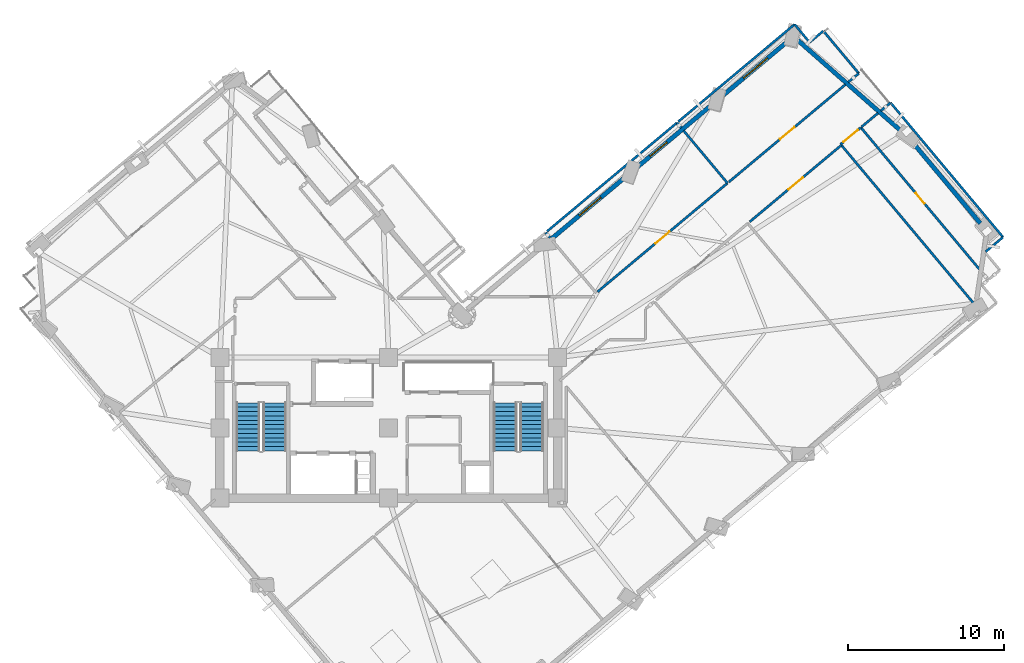
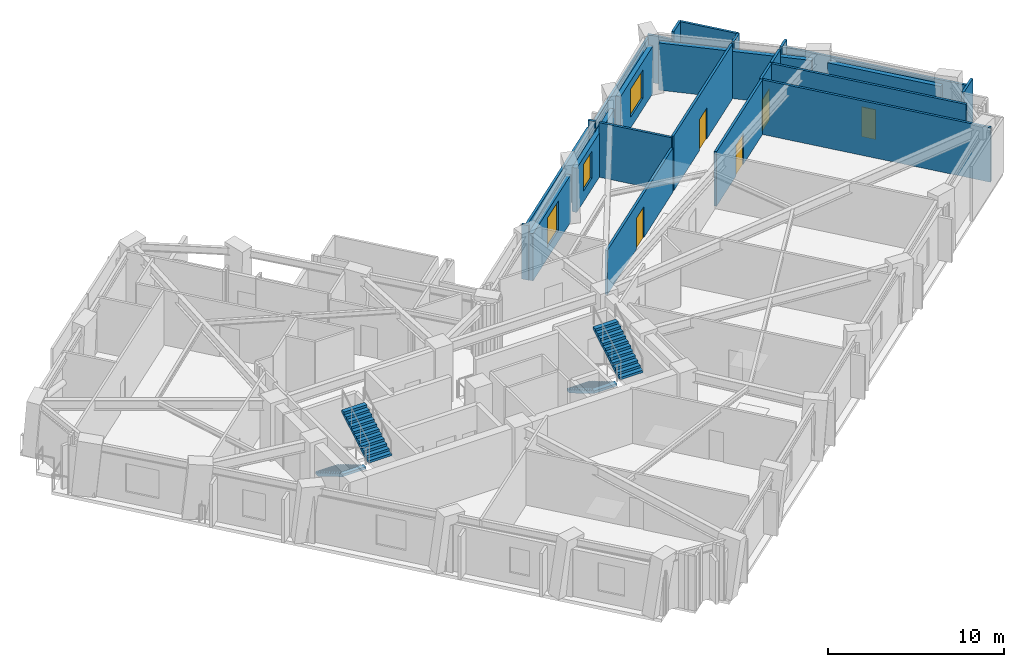
# One storey, part 9 of 14: 24 walls, 5 doors, 4 stair flights, 3 windows, 8 openings, 2 elements without a shape of their own.
"""IFC4 building model written with IfcOpenShell, lengths in metres."""

from ifc_helpers import new_model, si_unit, direction, frame, frame_2d, origin, place, context, subcontext, project, spatial, polyline, rectangle, outline, extrude, material, layer, layer_set, type_object, element, fill, aggregate, save


model = new_model("IFC4")

# Units and contexts
model_context = context("Model", 3, precision=1e-05, world=origin(), true_north=direction((0.0, 1.0)))
body_context = subcontext(model_context, "Body", "Model", "MODEL_VIEW")
ifc_project = project(units=[si_unit("LENGTHUNIT", "METRE"), si_unit("AREAUNIT", "SQUARE_METRE"), si_unit("VOLUMEUNIT", "CUBIC_METRE"), si_unit("PLANEANGLEUNIT", "RADIAN"), si_unit("MASSUNIT", "GRAM", prefix="KILO")], contexts=[model_context])

# Site, building, storey
site_placement = place(None, origin())
site = spatial("IfcSite", under=ifc_project, at=site_placement, CompositionType="ELEMENT")
building_placement = place(site_placement, origin())
building = spatial("IfcBuilding", under=site, at=building_placement, Name="Gaonmaruhae Medical Tower", CompositionType="ELEMENT")
storey_placement = place(building_placement, frame((0.0, 0.0, 193.800048828125)))
storey = spatial("IfcBuildingStorey", under=building, at=storey_placement, Name="L46", CompositionType="ELEMENT", Elevation=193.800048828125)

# Walls
ifc_material_1 = material(Name="Precast concrete C45/55", Category="concrete")
ifc_layer_1 = layer(ifc_material_1, 0.280029296875)
ifc_layer_set_1 = layer_set([ifc_layer_1], Name="Precast concrete C45/55")
wall_type_1 = type_object("IfcWallType", Name="EW-280 Upper Precast Masonry-Frame Facade Wall", PredefinedType="SOLIDWALL", material=ifc_layer_set_1)
wall_1_placement = place(storey_placement, frame((58.25634765625, 30.621826171875, 0.0), z_axis=(0.0, 0.0, 1.0), x_axis=(0.641450946277, -0.767164052547, 0.0)))
element("IfcWall", 1, at=wall_1_placement, inside=storey, type_object=wall_type_1, Name="L46 Precast Masonry-Frame Wall E01-E02", PredefinedType="SOLIDWALL", context=body_context, shape_type="SweptSolid", body=[
    extrude(rectangle(XDim=6.83984375, YDim=0.280029296875, at=frame_2d((3.419921875, 0.0))), origin(), (0.0, 0.0, 1.0), 3.264892578125),
])
wall_2_placement = place(storey_placement, frame((50.93408203125, 37.117919921875, 0.0), z_axis=(0.0, 0.0, 1.0), x_axis=(0.751139162676, -0.660143892114, 0.0)))
element("IfcWall", 2, at=wall_2_placement, inside=storey, type_object=wall_type_1, Name="L46 Precast Masonry-Frame Wall E02-E03", PredefinedType="SOLIDWALL", context=body_context, shape_type="SweptSolid", body=[
    extrude(rectangle(XDim=8.837890625, YDim=0.280029296875, at=frame_2d((4.4189453125, 0.0))), origin(), (0.0, 0.0, 1.0), 3.264892578125),
])

# Wall, opening, window
wall_3_placement = place(storey_placement, frame((46.19677734375, 33.57275390625, 0.0), z_axis=(0.0, 0.0, 1.0), x_axis=(0.767164976139, 0.641449841675, 0.0)))
wall_3 = element("IfcWall", 3, at=wall_3_placement, inside=storey, type_object=wall_type_1, Name="L46 Precast Masonry-Frame Wall E03-EN01", PredefinedType="SOLIDWALL", context=body_context, shape_type="SweptSolid", body=[
    extrude(rectangle(XDim=5.404541015625, YDim=0.280029296875, at=frame_2d((2.7021484375, 0.0))), origin(), (0.0, 0.0, 1.0), 3.264892578125),
])
opening_1_placement = place(wall_3_placement, frame((1.697998046875, 0.0, 0.75)))
opening_1 = element("IfcOpeningElement", 4, at=opening_1_placement, cuts=wall_3, Name="Opening WN-02", PredefinedType="OPENING", context=body_context, shape_type="SweptSolid", body=[
    extrude(rectangle(XDim=2.0, YDim=1.949951171875, at=frame_2d((1.0, 0.97509765625))), frame((0.0, 0.14990234375, 0.0), z_axis=(0.0, -1.0, 0.0), x_axis=(1.0, 0.0, 0.0)), (0.0, 0.0, 1.0), 0.300048828125),
])
ifc_material_2 = material(Name="Anodised aluminium and Low-E double glazing", Category="aluminium")
window_type_1 = type_object("IfcWindowType", Name="WN-02 Double-Bed Ward Punched Window 2000x1950", PartitioningType="SINGLE_PANEL", PredefinedType="WINDOW", material=ifc_material_2)
window_1_placement = place(opening_1_placement, origin())
window_1 = element("IfcWindow", 5, at=window_1_placement, inside=storey, type_object=window_type_1, Name="L46 Modular Facade Window E03", OverallHeight=1.949951171875, OverallWidth=2.0, PartitioningType="SINGLE_PANEL", PredefinedType="WINDOW", context=body_context, shape_type="SweptSolid", body=[
    extrude(rectangle(XDim=2.0, YDim=1.949951171875, at=frame_2d((1.0, 0.97509765625))), frame((0.0, 0.030029296875, 0.0), z_axis=(0.0, -1.0, 0.0), x_axis=(1.0, 0.0, 0.0)), (0.0, 0.0, 1.0), 0.06005859375),
])
fill(opening_1, window_1)

wall_4_placement = place(storey_placement, frame((40.68212890625, 28.9619140625, 0.0), z_axis=(0.0, 0.0, 1.0), x_axis=(0.767178953882, 0.641433124121, 0.0)))
wall_4 = element("IfcWall", 6, at=wall_4_placement, inside=storey, type_object=wall_type_1, Name="L46 Precast Masonry-Frame Wall EN01-EN02", PredefinedType="SOLIDWALL", context=body_context, shape_type="SweptSolid", body=[
    extrude(rectangle(XDim=6.2265625, YDim=0.280029296875, at=frame_2d((3.11328125, 0.0))), origin(), (0.0, 0.0, 1.0), 3.06494140625),
])
opening_2_placement = place(wall_4_placement, frame((1.090576171875, 0.0, 0.75)))
opening_2 = element("IfcOpeningElement", 7, at=opening_2_placement, cuts=wall_4, Name="Opening WN-03", PredefinedType="OPENING", context=body_context, shape_type="SweptSolid", body=[
    extrude(rectangle(XDim=1.39990234375, YDim=1.85009765625, at=frame_2d((0.699951171875, 0.925048828125))), frame((0.0, 0.14990234375, 0.0), z_axis=(0.0, -1.0, 0.0), x_axis=(1.0, 0.0, 0.0)), (0.0, 0.0, 1.0), 0.300048828125),
])
window_type_2 = type_object("IfcWindowType", Name="WN-03 Isolation Ward Punched Window 1400x1850", PartitioningType="SINGLE_PANEL", PredefinedType="WINDOW", material=ifc_material_2)
window_2_placement = place(opening_2_placement, origin())
window_2 = element("IfcWindow", 8, at=window_2_placement, inside=storey, type_object=window_type_2, Name="L46 Modular Facade Window EN01", OverallHeight=1.85009765625, OverallWidth=1.39990234375, PartitioningType="SINGLE_PANEL", PredefinedType="WINDOW", context=body_context, shape_type="SweptSolid", body=[
    extrude(rectangle(XDim=1.39990234375, YDim=1.85009765625, at=frame_2d((0.699951171875, 0.925048828125))), frame((0.0, 0.030029296875, 0.0), z_axis=(0.0, -1.0, 0.0), x_axis=(1.0, 0.0, 0.0)), (0.0, 0.0, 1.0), 0.06005859375),
])
fill(opening_2, window_2)

wall_5_placement = place(storey_placement, frame((35.162109375, 24.346435546875, 0.0), z_axis=(0.0, 0.0, 1.0), x_axis=(0.767160218665, 0.641455531505, 0.0)))
wall_5 = element("IfcWall", 9, at=wall_5_placement, inside=storey, type_object=wall_type_1, Name="L46 Precast Masonry-Frame Wall EN02-EN03", PredefinedType="SOLIDWALL", context=body_context, shape_type="SweptSolid", body=[
    extrude(rectangle(XDim=6.211181640625, YDim=0.280029296875, at=frame_2d((3.10546875, 0.0))), origin(), (0.0, 0.0, 1.0), 3.264892578125),
])
opening_3_placement = place(wall_5_placement, frame((2.3876953125, 0.0, 0.75)))
opening_3 = element("IfcOpeningElement", 10, at=opening_3_placement, cuts=wall_5, Name="Opening WN-04", PredefinedType="OPENING", context=body_context, shape_type="SweptSolid", body=[
    extrude(rectangle(XDim=1.800048828125, YDim=2.050048828125, at=frame_2d((0.89990234375, 1.02490234375))), frame((0.0, 0.14990234375, 0.0), z_axis=(0.0, -1.0, 0.0), x_axis=(1.0, 0.0, 0.0)), (0.0, 0.0, 1.0), 0.300048828125),
])
window_type_3 = type_object("IfcWindowType", Name="WN-04 Clinic & Consult Punched Window 1800x2050", PartitioningType="SINGLE_PANEL", PredefinedType="WINDOW", material=ifc_material_2)
window_3_placement = place(opening_3_placement, origin())
window_3 = element("IfcWindow", 11, at=window_3_placement, inside=storey, type_object=window_type_3, Name="L46 Modular Facade Window EN02", OverallHeight=2.050048828125, OverallWidth=1.800048828125, PartitioningType="SINGLE_PANEL", PredefinedType="WINDOW", context=body_context, shape_type="SweptSolid", body=[
    extrude(rectangle(XDim=1.800048828125, YDim=2.050048828125, at=frame_2d((0.89990234375, 1.02490234375))), frame((0.0, 0.030029296875, 0.0), z_axis=(0.0, -1.0, 0.0), x_axis=(1.0, 0.0, 0.0)), (0.0, 0.0, 1.0), 0.06005859375),
])
fill(opening_3, window_3)

# Wall, opening, door
ifc_material_3 = material(Name="Gypsum board partition", Category="gypsum")
ifc_layer_2 = layer(ifc_material_3, 0.14990234375)
ifc_layer_set_2 = layer_set([ifc_layer_2], Name="Gypsum board partition")
wall_type_2 = type_object("IfcWallType", Name="PW-150 Rated Clinical Corridor Partition", PredefinedType="PARTITIONING", material=ifc_layer_set_2)
wall_6_placement = place(storey_placement, frame((47.89404296875, 25.47705078125, 0.0), z_axis=(0.0, 0.0, 1.0), x_axis=(0.767198673316, 0.641409538176, 0.0)))
wall_6 = element("IfcWall", 12, at=wall_6_placement, inside=storey, type_object=wall_type_2, Name="L46 Interior Partition L46-SUP06-32", PredefinedType="PARTITIONING", context=body_context, shape_type="SweptSolid", body=[
    extrude(rectangle(XDim=7.63916015625, YDim=0.14990234375, at=frame_2d((3.819580078125, 0.0))), origin(), (0.0, 0.0, 1.0), 3.780029296875),
])
opening_4_placement = place(wall_6_placement, frame((3.2197265625, 0.0, 0.0)))
opening_4 = element("IfcOpeningElement", 13, at=opening_4_placement, cuts=wall_6, Name="Opening CD-02", PredefinedType="OPENING", context=body_context, shape_type="SweptSolid", body=[
    extrude(rectangle(XDim=1.199951171875, YDim=2.14990234375, at=frame_2d((0.60009765625, 1.074951171875))), frame((0.0, 0.0849609375, 0.0), z_axis=(0.0, -1.0, 0.0), x_axis=(1.0, 0.0, 0.0)), (0.0, 0.0, 1.0), 0.169921875),
])
ifc_material_4 = material(Name="Antimicrobial laminate timber fire door", Category="wood")
door_type_1 = type_object("IfcDoorType", Name="CD-02 Clinical Treatment & Procedure Door 1200x2150", OperationType="NOTDEFINED", PredefinedType="DOOR", material=ifc_material_4)
door_1_placement = place(opening_4_placement, origin())
door_1 = element("IfcDoor", 14, at=door_1_placement, inside=storey, type_object=door_type_1, Name="L46 Clinical Biomedical Charting Office Door", OperationType="SINGLE_SWING_RIGHT", OverallHeight=2.14990234375, OverallWidth=1.199951171875, PredefinedType="DOOR", context=body_context, shape_type="SweptSolid", body=[
    extrude(rectangle(XDim=1.199951171875, YDim=2.14990234375, at=frame_2d((0.60009765625, 1.074951171875))), frame((0.0, 0.02490234375, 0.0), z_axis=(0.0, -1.0, 0.0), x_axis=(1.0, 0.0, 0.0)), (0.0, 0.0, 1.0), 0.050048828125),
])
fill(opening_4, door_1)

# Walls
wall_7_placement = place(storey_placement, frame((53.7548828125, 30.376953125, 0.0), z_axis=(0.0, 0.0, 1.0), x_axis=(0.641485701033, -0.767134991621, 0.0)))
element("IfcWall", 15, at=wall_7_placement, inside=storey, type_object=wall_type_2, Name="L46 Interior Partition L46-SUP06-33", PredefinedType="PARTITIONING", context=body_context, shape_type="SweptSolid", body=[
    extrude(rectangle(XDim=13.83056640625, YDim=0.14990234375, at=frame_2d((6.915283203125, 0.0))), origin(), (0.0, 0.0, 1.0), 3.780029296875),
])
wall_8_placement = place(storey_placement, frame((34.8369140625, 24.7919921875, 0.0), z_axis=(0.0, 0.0, 1.0), x_axis=(0.641177039374, -0.767392992006, 0.0)))
element("IfcWall", 16, at=wall_8_placement, inside=storey, type_object=wall_type_2, Name="L46 Interior Partition L46-IE01-55", PredefinedType="PARTITIONING", context=body_context, shape_type="SweptSolid", body=[
    extrude(rectangle(XDim=0.435302734375, YDim=0.14990234375, at=frame_2d((0.2177734375, 0.0))), origin(), (0.0, 0.0, 1.0), 3.780029296875),
])

# Wall, opening, door
wall_9_placement = place(storey_placement, frame((46.468994140625, 27.947998046875, 0.0), z_axis=(0.0, 0.0, 1.0), x_axis=(-0.767146465677, -0.641471979279, 0.0)))
wall_9 = element("IfcWall", 17, at=wall_9_placement, inside=storey, type_object=wall_type_2, Name="L46 Interior Partition L46-IE02-70", PredefinedType="PARTITIONING", context=body_context, shape_type="SweptSolid", body=[
    extrude(rectangle(XDim=10.828369140625, YDim=0.14990234375, at=frame_2d((5.4140625, 0.0))), origin(), (0.0, 0.0, 1.0), 3.06494140625),
])
opening_5_placement = place(wall_9_placement, frame((4.814208984375, 0.0, 0.0)))
opening_5 = element("IfcOpeningElement", 18, at=opening_5_placement, cuts=wall_9, Name="Opening CD-02", PredefinedType="OPENING", context=body_context, shape_type="SweptSolid", body=[
    extrude(rectangle(XDim=1.199951171875, YDim=2.14990234375, at=frame_2d((0.60009765625, 1.074951171875))), frame((0.0, 0.0849609375, 0.0), z_axis=(0.0, -1.0, 0.0), x_axis=(1.0, 0.0, 0.0)), (0.0, 0.0, 1.0), 0.169921875),
])
door_2_placement = place(opening_5_placement, origin())
door_2 = element("IfcDoor", 19, at=door_2_placement, inside=storey, type_object=door_type_1, Name="L46 Acute Treatment Examination Room Door", OperationType="SINGLE_SWING_LEFT", OverallHeight=2.14990234375, OverallWidth=1.199951171875, PredefinedType="DOOR", context=body_context, shape_type="SweptSolid", body=[
    extrude(rectangle(XDim=1.199951171875, YDim=2.14990234375, at=frame_2d((0.60009765625, 1.074951171875))), frame((0.0, 0.02490234375, 0.0), z_axis=(0.0, -1.0, 0.0), x_axis=(1.0, 0.0, 0.0)), (0.0, 0.0, 1.0), 0.050048828125),
])
fill(opening_5, door_2)

# Walls
wall_10_placement = place(storey_placement, frame((34.928955078125, 24.868896484375, 0.0), z_axis=(0.0, 0.0, 1.0), x_axis=(0.767200123668, 0.641407803385, 0.0)))
element("IfcWall", 20, at=wall_10_placement, inside=storey, type_object=wall_type_2, Name="L46 Interior Partition L46-IE02-71", PredefinedType="PARTITIONING", context=body_context, shape_type="SweptSolid", body=[
    extrude(rectangle(XDim=10.827880859375, YDim=0.14990234375, at=frame_2d((5.4140625, 0.0))), origin(), (0.0, 0.0, 1.0), 3.264892578125),
])
wall_11_placement = place(storey_placement, frame((43.236083984375, 31.81396484375, 0.0), z_axis=(0.0, 0.0, 1.0), x_axis=(0.640846516359, -0.767669031856, 0.0)))
element("IfcWall", 21, at=wall_11_placement, inside=storey, type_object=wall_type_2, Name="L46 Interior Partition L46-IE02-72", PredefinedType="PARTITIONING", context=body_context, shape_type="SweptSolid", body=[
    extrude(rectangle(XDim=0.43505859375, YDim=0.14990234375, at=frame_2d((0.217529296875, 0.0))), origin(), (0.0, 0.0, 1.0), 3.780029296875),
])
wall_12_placement = place(storey_placement, frame((43.6630859375, 31.303955078125, 0.0), z_axis=(0.0, 0.0, 1.0), x_axis=(0.641435179026, -0.767177235786, 0.0)))
element("IfcWall", 22, at=wall_12_placement, inside=storey, type_object=wall_type_2, Name="L46 Interior Partition L46-IE02-73", PredefinedType="PARTITIONING", context=body_context, shape_type="SweptSolid", body=[
    extrude(rectangle(XDim=4.37451171875, YDim=0.14990234375, at=frame_2d((2.187255859375, 0.0))), origin(), (0.0, 0.0, 1.0), 3.780029296875),
])
wall_13_placement = place(storey_placement, frame((51.722900390625, 36.955078125, 0.0), z_axis=(0.0, 0.0, 1.0), x_axis=(0.76709604223, 0.641532276659, 0.0)))
element("IfcWall", 23, at=wall_13_placement, inside=storey, type_object=wall_type_2, Name="L46 Interior Partition L46-IE03-74", PredefinedType="PARTITIONING", context=body_context, shape_type="SweptSolid", body=[
    extrude(rectangle(XDim=1.139404296875, YDim=0.14990234375, at=frame_2d((0.56982421875, 0.0))), origin(), (0.0, 0.0, 1.0), 3.780029296875),
])
wall_14_placement = place(storey_placement, frame((52.596923828125, 37.68603515625, 0.0), z_axis=(0.0, 0.0, 1.0), x_axis=(0.641451911189, -0.767163245751, 0.0)))
element("IfcWall", 24, at=wall_14_placement, inside=storey, type_object=wall_type_2, Name="L46 Interior Partition L46-IE03-75", PredefinedType="PARTITIONING", context=body_context, shape_type="SweptSolid", body=[
    extrude(rectangle(XDim=3.540283203125, YDim=0.14990234375, at=frame_2d((1.77001953125, 0.0))), origin(), (0.0, 0.0, 1.0), 3.780029296875),
])
wall_15_placement = place(storey_placement, frame((54.867919921875, 34.969970703125, 0.0), z_axis=(0.0, 0.0, 1.0), x_axis=(-0.766853077224, -0.641822684199, 0.0)))
element("IfcWall", 25, at=wall_15_placement, inside=storey, type_object=wall_type_2, Name="L46 Interior Partition L46-IE03-76", PredefinedType="PARTITIONING", context=body_context, shape_type="SweptSolid", body=[
    extrude(rectangle(XDim=0.878662109375, YDim=0.14990234375, at=frame_2d((0.439453125, 0.0))), origin(), (0.0, 0.0, 1.0), 3.780029296875),
])

# Wall, opening, door
wall_16_placement = place(storey_placement, frame((54.014892578125, 34.257080078125, 0.0), z_axis=(0.0, 0.0, 1.0), x_axis=(-0.767176013294, -0.641436641163, 0.0)))
wall_16 = element("IfcWall", 26, at=wall_16_placement, inside=storey, type_object=wall_type_2, Name="L46 Interior Partition L46-IE03-77", PredefinedType="PARTITIONING", context=body_context, shape_type="SweptSolid", body=[
    extrude(rectangle(XDim=9.716064453125, YDim=0.14990234375, at=frame_2d((4.85791015625, 0.0))), origin(), (0.0, 0.0, 1.0), 3.780029296875),
])
opening_6_placement = place(wall_16_placement, frame((4.258056640625, 0.0, 0.0)))
opening_6 = element("IfcOpeningElement", 27, at=opening_6_placement, cuts=wall_16, Name="Opening CD-02", PredefinedType="OPENING", context=body_context, shape_type="SweptSolid", body=[
    extrude(rectangle(XDim=1.199951171875, YDim=2.14990234375, at=frame_2d((0.60009765625, 1.074951171875))), frame((0.0, 0.0849609375, 0.0), z_axis=(0.0, -1.0, 0.0), x_axis=(1.0, 0.0, 0.0)), (0.0, 0.0, 1.0), 0.169921875),
])
door_3_placement = place(opening_6_placement, origin())
door_3 = element("IfcDoor", 28, at=door_3_placement, inside=storey, type_object=door_type_1, Name="L46 Clean Medication Preparation Room Door", OperationType="SINGLE_SWING_LEFT", OverallHeight=2.14990234375, OverallWidth=1.199951171875, PredefinedType="DOOR", context=body_context, shape_type="SweptSolid", body=[
    extrude(rectangle(XDim=1.199951171875, YDim=2.14990234375, at=frame_2d((0.60009765625, 1.074951171875))), frame((0.0, 0.02490234375, 0.0), z_axis=(0.0, -1.0, 0.0), x_axis=(1.0, 0.0, 0.0)), (0.0, 0.0, 1.0), 0.050048828125),
])
fill(opening_6, door_3)

# Walls
wall_17_placement = place(storey_placement, frame((43.327880859375, 31.89111328125, 0.0), z_axis=(0.0, 0.0, 1.0), x_axis=(0.767175162843, 0.641437658324, 0.0)))
element("IfcWall", 29, at=wall_17_placement, inside=storey, type_object=wall_type_2, Name="L46 Interior Partition L46-IE03-78", PredefinedType="PARTITIONING", context=body_context, shape_type="SweptSolid", body=[
    extrude(rectangle(XDim=9.68896484375, YDim=0.14990234375, at=frame_2d((4.844482421875, 0.0))), origin(), (0.0, 0.0, 1.0), 3.06494140625),
])
wall_18_placement = place(storey_placement, frame((50.760986328125, 38.10595703125, 0.0), z_axis=(0.0, 0.0, 1.0), x_axis=(0.641304413532, -0.767286549592, 0.0)))
element("IfcWall", 30, at=wall_18_placement, inside=storey, type_object=wall_type_2, Name="L46 Interior Partition L46-IE03-79", PredefinedType="PARTITIONING", context=body_context, shape_type="SweptSolid", body=[
    extrude(rectangle(XDim=1.5, YDim=0.14990234375, at=frame_2d((0.75, 0.0))), origin(), (0.0, 0.0, 1.0), 3.264892578125),
])

# Wall, opening, door
wall_19_placement = place(storey_placement, frame((53.7099609375, 30.430908203125, 0.0), z_axis=(0.0, 0.0, 1.0), x_axis=(0.767076870152, 0.641555200491, 0.0)))
wall_19 = element("IfcWall", 31, at=wall_19_placement, inside=storey, type_object=wall_type_2, Name="L46 Interior Partition L46-RM05-109", PredefinedType="PARTITIONING", context=body_context, shape_type="SweptSolid", body=[
    extrude(rectangle(XDim=1.680419921875, YDim=0.14990234375, at=frame_2d((0.84033203125, 0.0))), origin(), (0.0, 0.0, 1.0), 3.780029296875),
])
opening_7_placement = place(wall_19_placement, frame((0.240234375, 0.0, 0.0)))
opening_7 = element("IfcOpeningElement", 32, at=opening_7_placement, cuts=wall_19, Name="Opening CD-02", PredefinedType="OPENING", context=body_context, shape_type="SweptSolid", body=[
    extrude(rectangle(XDim=1.199951171875, YDim=2.14990234375, at=frame_2d((0.60009765625, 1.074951171875))), frame((0.0, 0.0849609375, 0.0), z_axis=(0.0, -1.0, 0.0), x_axis=(1.0, 0.0, 0.0)), (0.0, 0.0, 1.0), 0.169921875),
])
door_4_placement = place(opening_7_placement, origin())
door_4 = element("IfcDoor", 33, at=door_4_placement, inside=storey, type_object=door_type_1, Name="L46 Clinical Case Review Office Door", OperationType="SINGLE_SWING_RIGHT", OverallHeight=2.14990234375, OverallWidth=1.199951171875, PredefinedType="DOOR", context=body_context, shape_type="SweptSolid", body=[
    extrude(rectangle(XDim=1.199951171875, YDim=2.14990234375, at=frame_2d((0.60009765625, 1.074951171875))), frame((0.0, 0.02490234375, 0.0), z_axis=(0.0, -1.0, 0.0), x_axis=(1.0, 0.0, 0.0)), (0.0, 0.0, 1.0), 0.050048828125),
])
fill(opening_7, door_4)

wall_20_placement = place(storey_placement, frame((54.9990234375, 31.509033203125, 0.0), z_axis=(0.0, 0.0, 1.0), x_axis=(0.641453119542, -0.767162235404, 0.0)))
wall_20 = element("IfcWall", 34, at=wall_20_placement, inside=storey, type_object=wall_type_2, Name="L46 Interior Partition L46-RM05-110", PredefinedType="PARTITIONING", context=body_context, shape_type="SweptSolid", body=[
    extrude(rectangle(XDim=11.821533203125, YDim=0.14990234375, at=frame_2d((5.91064453125, 0.0))), origin(), (0.0, 0.0, 1.0), 3.780029296875),
])
opening_8_placement = place(wall_20_placement, frame((5.480712890625, 0.0, 0.0)))
opening_8 = element("IfcOpeningElement", 35, at=opening_8_placement, cuts=wall_20, Name="Opening AD-01", PredefinedType="OPENING", context=body_context, shape_type="SweptSolid", body=[
    extrude(rectangle(XDim=0.860107421875, YDim=2.06005859375, at=frame_2d((0.43017578125, 1.030029296875))), frame((0.0, 0.0849609375, 0.0), z_axis=(0.0, -1.0, 0.0), x_axis=(1.0, 0.0, 0.0)), (0.0, 0.0, 1.0), 0.169921875),
])
ifc_material_5 = material(Name="Powder-coated steel access door", Category="steel")
door_type_2 = type_object("IfcDoorType", Name="AD-01 Riser & Closet Access Fire Door 860x2060", OperationType="NOTDEFINED", PredefinedType="DOOR", material=ifc_material_5)
door_5_placement = place(opening_8_placement, origin())
door_5 = element("IfcDoor", 36, at=door_5_placement, inside=storey, type_object=door_type_2, Name="L46 Care Team Clinical Charting Office Sliding Door", OperationType="SLIDING_TO_LEFT", OverallHeight=2.06005859375, OverallWidth=0.860107421875, PredefinedType="DOOR", context=body_context, shape_type="SweptSolid", body=[
    extrude(rectangle(XDim=0.860107421875, YDim=2.06005859375, at=frame_2d((0.43017578125, 1.030029296875))), frame((0.0, 0.02490234375, 0.0), z_axis=(0.0, -1.0, 0.0), x_axis=(1.0, 0.0, 0.0)), (0.0, 0.0, 1.0), 0.050048828125),
])
fill(opening_8, door_5)

# Walls
wall_21_placement = place(storey_placement, frame((55.044921875, 31.547119140625, 0.0), z_axis=(0.0, 0.0, 1.0), x_axis=(0.767360162817, 0.641216328957, 0.0)))
element("IfcWall", 37, at=wall_21_placement, inside=storey, type_object=wall_type_2, Name="L46 Interior Partition L46-RM06-114", PredefinedType="PARTITIONING", context=body_context, shape_type="SweptSolid", body=[
    extrude(rectangle(XDim=1.372314453125, YDim=0.14990234375, at=frame_2d((0.68603515625, 0.0))), origin(), (0.0, 0.0, 1.0), 3.780029296875),
])
wall_22_placement = place(storey_placement, frame((56.27587890625, 32.575927734375, 0.0), z_axis=(0.0, 0.0, 1.0), x_axis=(0.767411392913, 0.641155015599, 0.0)))
element("IfcWall", 38, at=wall_22_placement, inside=storey, type_object=wall_type_2, Name="L46 Interior Partition L46-RM06-115", PredefinedType="PARTITIONING", context=body_context, shape_type="SweptSolid", body=[
    extrude(rectangle(XDim=0.81591796875, YDim=0.14990234375, at=frame_2d((0.407958984375, 0.0))), origin(), (0.0, 0.0, 1.0), 3.780029296875),
])
wall_23_placement = place(storey_placement, frame((56.902099609375, 33.09912109375, 0.0), z_axis=(0.0, 0.0, 1.0), x_axis=(0.641465569616, -0.767151825259, 0.0)))
element("IfcWall", 39, at=wall_23_placement, inside=storey, type_object=wall_type_2, Name="L46 Interior Partition L46-RM06-116", PredefinedType="PARTITIONING", context=body_context, shape_type="SweptSolid", body=[
    extrude(rectangle(XDim=11.2197265625, YDim=0.14990234375, at=frame_2d((5.60986328125, 0.0))), origin(), (0.0, 0.0, 1.0), 3.264892578125),
])
wall_24_placement = place(storey_placement, frame((64.09912109375, 24.491943359375, 0.0), z_axis=(0.0, 0.0, 1.0), x_axis=(-0.767352162487, -0.641225903038, 0.0)))
element("IfcWall", 40, at=wall_24_placement, inside=storey, type_object=wall_type_2, Name="L46 Interior Partition L46-RM06-117", PredefinedType="PARTITIONING", context=body_context, shape_type="SweptSolid", body=[
    extrude(rectangle(XDim=1.45166015625, YDim=0.14990234375, at=frame_2d((0.725830078125, 0.0))), origin(), (0.0, 0.0, 1.0), 3.780029296875),
])

# Stair, stair flights
ifc_material_6 = material(Name="Concrete C40/50", Category="concrete")
stair_type = type_object("IfcStairType", Name="ST-T1 Primary Core Escape Dogleg Stair", PredefinedType="TWO_QUARTER_TURN_STAIR", material=ifc_material_6)
stair_1_placement = place(storey_placement, origin())
stair_1 = element("IfcStair", 41, at=stair_1_placement, inside=storey, type_object=stair_type, Name="L46 Protected Escape Stair ST-01", PredefinedType="TWO_QUARTER_TURN_STAIR")
stair_flight_type = type_object("IfcStairFlightType", Name="SF-T1 Primary Core Precast Stair Flight", PredefinedType="STRAIGHT", material=ifc_material_6)
stair_flight_1_placement = place(storey_placement, frame((15.800048828125, 13.89990234375, 0.0), z_axis=(0.0, 0.0, 1.0), x_axis=(0.0, -1.0, 0.0)))
stair_flight_1 = element("IfcStairFlight", 42, at=stair_flight_1_placement, type_object=stair_flight_type, Name="ST-01 flight 1", NumberOfRisers=12, NumberOfTreads=11, PredefinedType="STRAIGHT", RiserHeight=0.166666667, TreadLength=0.28, context=body_context, shape_type="SweptSolid", body=[
    extrude(outline(polyline([(0.0, 0.0), (0.0, 0.166748046875), (0.280029296875, 0.166748046875), (0.280029296875, 0.333251953125), (0.56005859375, 0.333251953125), (0.56005859375, 0.5), (0.840087890625, 0.5), (0.840087890625, 0.666748046875), (1.1201171875, 0.666748046875), (1.1201171875, 0.833251953125), (1.39990234375, 0.833251953125), (1.39990234375, 1.0), (1.679931640625, 1.0), (1.679931640625, 1.166748046875), (1.9599609375, 1.166748046875), (1.9599609375, 1.333251953125), (2.239990234375, 1.333251953125), (2.239990234375, 1.5), (2.52001953125, 1.5), (2.52001953125, 1.666748046875), (2.800048828125, 1.666748046875), (2.800048828125, 1.833251953125), (3.080078125, 1.833251953125), (3.080078125, 2.0), (3.080078125, 1.658935546875), (0.29296875, 0.0), (0.0, 0.0)])), frame((0.0, 0.75, 0.0), z_axis=(0.0, -1.0, 0.0), x_axis=(1.0, 0.0, 0.0)), (0.0, 0.0, 1.0), 1.5),
])
stair_flight_2_placement = place(storey_placement, frame((17.5, 10.820068359375, 2.0), z_axis=(0.0, 0.0, 1.0), x_axis=(0.0, 1.0, 0.0)))
stair_flight_2 = element("IfcStairFlight", 43, at=stair_flight_2_placement, type_object=stair_flight_type, Name="ST-01 flight 2", NumberOfRisers=12, NumberOfTreads=11, PredefinedType="STRAIGHT", RiserHeight=0.166666667, TreadLength=0.28, context=body_context, shape_type="SweptSolid", body=[
    extrude(outline(polyline([(0.0, 0.0), (0.0, 0.166748046875), (0.280029296875, 0.166748046875), (0.280029296875, 0.333251953125), (0.56005859375, 0.333251953125), (0.56005859375, 0.5), (0.840087890625, 0.5), (0.840087890625, 0.666748046875), (1.1201171875, 0.666748046875), (1.1201171875, 0.833251953125), (1.39990234375, 0.833251953125), (1.39990234375, 1.0), (1.679931640625, 1.0), (1.679931640625, 1.166748046875), (1.9599609375, 1.166748046875), (1.9599609375, 1.333251953125), (2.239990234375, 1.333251953125), (2.239990234375, 1.5), (2.52001953125, 1.5), (2.52001953125, 1.666748046875), (2.800048828125, 1.666748046875), (2.800048828125, 1.833251953125), (3.080078125, 1.833251953125), (3.080078125, 2.0), (3.080078125, 1.658935546875), (0.29296875, 0.0), (0.0, 0.0)])), frame((0.0, 0.75, 0.0), z_axis=(0.0, -1.0, 0.0), x_axis=(1.0, 0.0, 0.0)), (0.0, 0.0, 1.0), 1.5),
])
aggregate(stair_1, [stair_flight_1, stair_flight_2])

stair_2_placement = place(storey_placement, origin())
stair_2 = element("IfcStair", 44, at=stair_2_placement, inside=storey, type_object=stair_type, Name="L46 Protected Escape Stair ST-02", PredefinedType="TWO_QUARTER_TURN_STAIR")
stair_flight_3_placement = place(storey_placement, frame((32.25, 13.89990234375, 0.0), z_axis=(0.0, 0.0, 1.0), x_axis=(0.0, -1.0, 0.0)))
stair_flight_3 = element("IfcStairFlight", 45, at=stair_flight_3_placement, type_object=stair_flight_type, Name="ST-02 flight 1", NumberOfRisers=12, NumberOfTreads=11, PredefinedType="STRAIGHT", RiserHeight=0.166666667, TreadLength=0.28, context=body_context, shape_type="SweptSolid", body=[
    extrude(outline(polyline([(0.0, 0.0), (0.0, 0.166748046875), (0.280029296875, 0.166748046875), (0.280029296875, 0.333251953125), (0.56005859375, 0.333251953125), (0.56005859375, 0.5), (0.840087890625, 0.5), (0.840087890625, 0.666748046875), (1.1201171875, 0.666748046875), (1.1201171875, 0.833251953125), (1.39990234375, 0.833251953125), (1.39990234375, 1.0), (1.679931640625, 1.0), (1.679931640625, 1.166748046875), (1.9599609375, 1.166748046875), (1.9599609375, 1.333251953125), (2.239990234375, 1.333251953125), (2.239990234375, 1.5), (2.52001953125, 1.5), (2.52001953125, 1.666748046875), (2.800048828125, 1.666748046875), (2.800048828125, 1.833251953125), (3.080078125, 1.833251953125), (3.080078125, 2.0), (3.080078125, 1.658935546875), (0.29296875, 0.0), (0.0, 0.0)])), frame((0.0, 0.75, 0.0), z_axis=(0.0, -1.0, 0.0), x_axis=(1.0, 0.0, 0.0)), (0.0, 0.0, 1.0), 1.5),
])
stair_flight_4_placement = place(storey_placement, frame((33.949951171875, 10.820068359375, 2.0), z_axis=(0.0, 0.0, 1.0), x_axis=(0.0, 1.0, 0.0)))
stair_flight_4 = element("IfcStairFlight", 46, at=stair_flight_4_placement, type_object=stair_flight_type, Name="ST-02 flight 2", NumberOfRisers=12, NumberOfTreads=11, PredefinedType="STRAIGHT", RiserHeight=0.166666667, TreadLength=0.28, context=body_context, shape_type="SweptSolid", body=[
    extrude(outline(polyline([(0.0, 0.0), (0.0, 0.166748046875), (0.280029296875, 0.166748046875), (0.280029296875, 0.333251953125), (0.56005859375, 0.333251953125), (0.56005859375, 0.5), (0.840087890625, 0.5), (0.840087890625, 0.666748046875), (1.1201171875, 0.666748046875), (1.1201171875, 0.833251953125), (1.39990234375, 0.833251953125), (1.39990234375, 1.0), (1.679931640625, 1.0), (1.679931640625, 1.166748046875), (1.9599609375, 1.166748046875), (1.9599609375, 1.333251953125), (2.239990234375, 1.333251953125), (2.239990234375, 1.5), (2.52001953125, 1.5), (2.52001953125, 1.666748046875), (2.800048828125, 1.666748046875), (2.800048828125, 1.833251953125), (3.080078125, 1.833251953125), (3.080078125, 2.0), (3.080078125, 1.658935546875), (0.29296875, 0.0), (0.0, 0.0)])), frame((0.0, 0.75, 0.0), z_axis=(0.0, -1.0, 0.0), x_axis=(1.0, 0.0, 0.0)), (0.0, 0.0, 1.0), 1.5),
])
aggregate(stair_2, [stair_flight_3, stair_flight_4])

save(model, "model.ifc")
